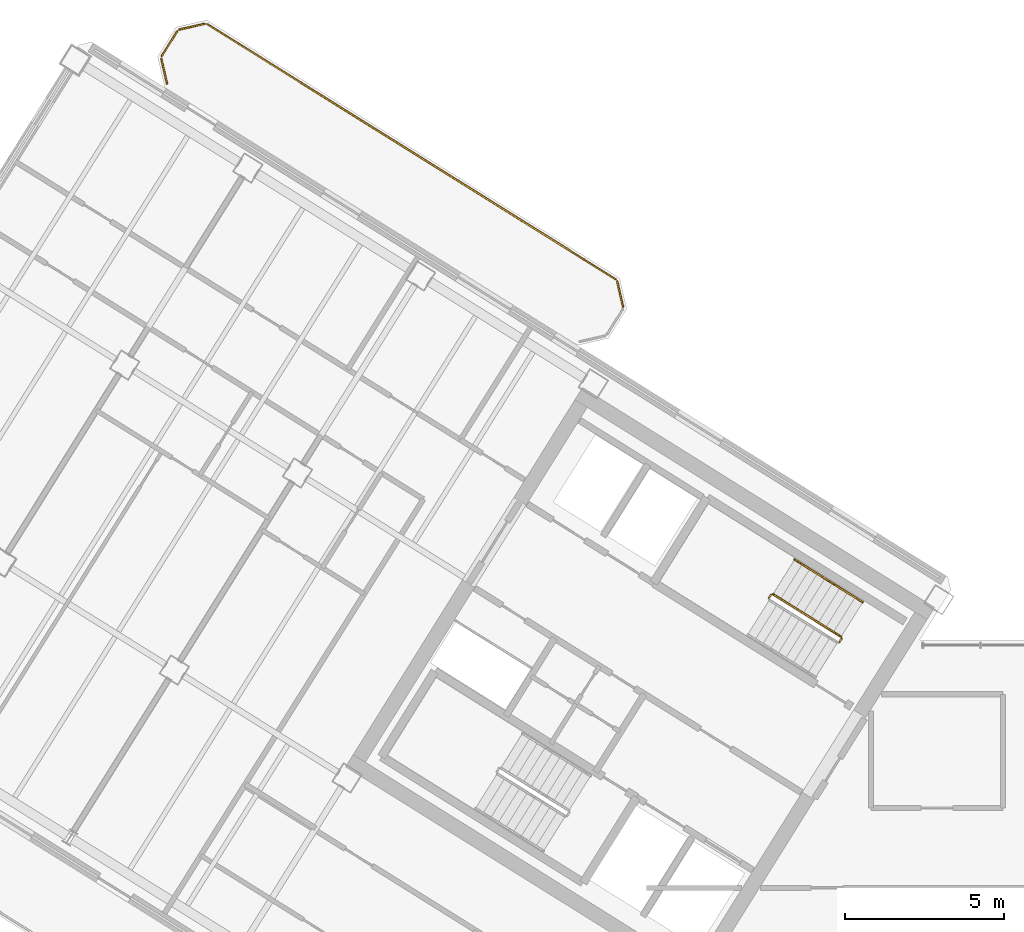
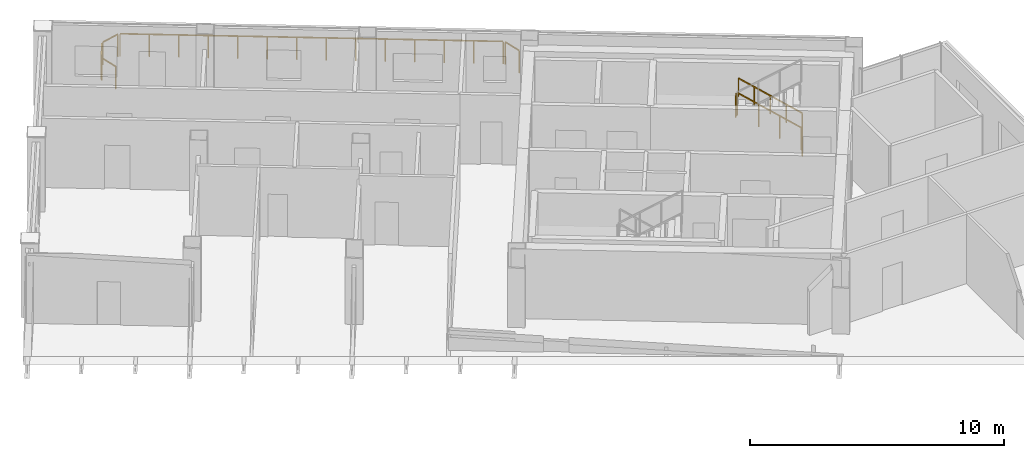
# One storey, part 17 of 17: 10 railings.
"""IFC4 building model written with IfcOpenShell, lengths in metres."""

from ifc_helpers import new_model, si_unit, direction, frame, origin, origin_2d, place, context, subcontext, project, spatial, rectangle, extrude, source, transform, mapped, material, type_object, element, save


model = new_model("IFC4")

# Units and contexts
model_context = context("Model", 3, precision=1e-05, world=origin(), true_north=direction((0.0, 1.0)))
body_context = subcontext(model_context, "Body", "Model", "MODEL_VIEW")
ifc_project = project(units=[si_unit("LENGTHUNIT", "METRE"), si_unit("AREAUNIT", "SQUARE_METRE"), si_unit("VOLUMEUNIT", "CUBIC_METRE"), si_unit("PLANEANGLEUNIT", "RADIAN"), si_unit("MASSUNIT", "GRAM", prefix="KILO")], contexts=[model_context])

# Site, building, storey
site_placement = place(None, origin())
site = spatial("IfcSite", under=ifc_project, at=site_placement, CompositionType="ELEMENT")
building_placement = place(site_placement, origin())
building = spatial("IfcBuilding", under=site, at=building_placement, Name="Tlacorven Tower", CompositionType="ELEMENT")
storey_placement = place(building_placement, frame((0.0, 0.0, 277.199951171875)))
storey = spatial("IfcBuildingStorey", under=building, at=storey_placement, Name="L70", CompositionType="ELEMENT", Elevation=277.199951171875)

# Railings
ifc_material = material(Name="Aluminium and painted steel balustrade", Category="steel")
railing_type_1 = type_object("IfcRailingType", Name="RL-BAL-1100", PredefinedType="BALUSTRADE", material=ifc_material)
shared_shape_1 = source(origin(), body_context, "Body", "SweptSolid", [
    extrude(rectangle(XDim=0.048095703125, YDim=0.048095703125, at=origin_2d()), frame((0.0, 0.0, 1.076171875), z_axis=(0.225058334816, -0.974345290916, 0.0), x_axis=(0.974345290916, 0.225058334816, 0.0)), (0.0, 0.0, 1.0), 0.80712890625),
    extrude(rectangle(XDim=0.0419921875, YDim=0.0419921875, at=origin_2d()), origin(), (0.0, 0.0, 1.0), 1.052001953125),
    extrude(rectangle(XDim=0.0419921875, YDim=0.0419921875, at=origin_2d()), frame((0.181640625, -0.786376953125, 0.0)), (0.0, 0.0, 1.0), 1.052001953125),
])
railing_1_placement = place(storey_placement, frame((30.6796875, 34.466064453125, 0.0)))
element("IfcRailing", 1, at=railing_1_placement, inside=storey, type_object=railing_type_1, Name="BAL-L70-W-IN Guard Railing 1", PredefinedType="BALUSTRADE", context=body_context, shape_type="MappedRepresentation", body=[
    mapped(shared_shape_1, transform((0.0, 0.0, 0.0), scale=1.0)),
])
shared_shape_2 = source(origin(), body_context, "Body", "SweptSolid", [
    extrude(rectangle(XDim=0.048095703125, YDim=0.048095703125, at=origin_2d()), frame((0.0, 0.0, 1.076171875), z_axis=(-0.225058334816, 0.974345290916, 0.0), x_axis=(-0.974345290916, -0.225058334816, 0.0)), (0.0, 0.0, 1.0), 0.80712890625),
    extrude(rectangle(XDim=0.0419921875, YDim=0.0419921875, at=origin_2d()), origin(), (0.0, 0.0, 1.0), 1.052001953125),
    extrude(rectangle(XDim=0.0419921875, YDim=0.0419921875, at=origin_2d()), frame((-0.181640625, 0.786376953125, 0.0)), (0.0, 0.0, 1.0), 1.052001953125),
])
railing_2_placement = place(storey_placement, frame((16.5361328125, 40.68115234375, 0.0)))
element("IfcRailing", 2, at=railing_2_placement, inside=storey, type_object=railing_type_1, Name="BAL-L70-W-IN Guard Railing 4", PredefinedType="BALUSTRADE", context=body_context, shape_type="MappedRepresentation", body=[
    mapped(shared_shape_2, transform((0.0, 0.0, 0.0), scale=1.0)),
])
shared_shape_3 = source(origin(), body_context, "Body", "SweptSolid", [
    extrude(rectangle(XDim=0.048095703125, YDim=0.048095703125, at=origin_2d()), frame((0.0, 0.0, 1.076171875), z_axis=(0.52987865805, 0.848073468364, 0.0), x_axis=(-0.848073468364, 0.52987865805, 0.0)), (0.0, 0.0, 1.0), 0.912353515625),
    extrude(rectangle(XDim=0.0419921875, YDim=0.0419921875, at=origin_2d()), origin(), (0.0, 0.0, 1.0), 1.052001953125),
    extrude(rectangle(XDim=0.0419921875, YDim=0.0419921875, at=origin_2d()), frame((0.4833984375, 0.773681640625, 0.0)), (0.0, 0.0, 1.0), 1.052001953125),
])
railing_3_placement = place(storey_placement, frame((16.369873046875, 41.55859375, 0.0)))
element("IfcRailing", 3, at=railing_3_placement, inside=storey, type_object=railing_type_1, Name="BAL-L70-W-IN Guard Railing 5", PredefinedType="BALUSTRADE", context=body_context, shape_type="MappedRepresentation", body=[
    mapped(shared_shape_3, transform((0.0, 0.0, 0.0), scale=1.0)),
])
shared_shape_4 = source(origin(), body_context, "Body", "SweptSolid", [
    extrude(rectangle(XDim=0.048095703125, YDim=0.048095703125, at=origin_2d()), frame((0.0, 0.0, 1.076171875), z_axis=(0.974411586182, 0.224771129628, 0.0), x_axis=(-0.224771129628, 0.974411586182, 0.0)), (0.0, 0.0, 1.0), 0.80712890625),
    extrude(rectangle(XDim=0.0419921875, YDim=0.0419921875, at=origin_2d()), origin(), (0.0, 0.0, 1.0), 1.052001953125),
    extrude(rectangle(XDim=0.0419921875, YDim=0.0419921875, at=origin_2d()), frame((0.786376953125, 0.181396484375, 0.0)), (0.0, 0.0, 1.0), 1.052001953125),
])
railing_4_placement = place(storey_placement, frame((16.928466796875, 42.385986328125, 0.0)))
element("IfcRailing", 4, at=railing_4_placement, inside=storey, type_object=railing_type_1, Name="BAL-L70-W-IN Guard Railing 6", PredefinedType="BALUSTRADE", context=body_context, shape_type="MappedRepresentation", body=[
    mapped(shared_shape_4, transform((0.0, 0.0, 0.0), scale=1.0)),
])
shared_shape_5 = source(origin(), body_context, "Body", "SweptSolid", [
    extrude(rectangle(XDim=0.048095703125, YDim=0.048095703125, at=origin_2d()), frame((0.0, 0.0, 1.076171875), z_axis=(0.848044572804, -0.529924902733, 0.0), x_axis=(0.529924902733, 0.848044572804, 0.0)), (0.0, 0.0, 1.0), 15.1171875),
    extrude(rectangle(XDim=0.0419921875, YDim=0.0419921875, at=origin_2d()), origin(), (0.0, 0.0, 1.0), 1.052001953125),
    extrude(rectangle(XDim=0.0419921875, YDim=0.0419921875, at=origin_2d()), frame((0.986083984375, -0.6162109375, 0.0)), (0.0, 0.0, 1.0), 1.052001953125),
    extrude(rectangle(XDim=0.0419921875, YDim=0.0419921875, at=origin_2d()), frame((1.972412109375, -1.232421875, 0.0)), (0.0, 0.0, 1.0), 1.052001953125),
    extrude(rectangle(XDim=0.0419921875, YDim=0.0419921875, at=origin_2d()), frame((2.95849609375, -1.8486328125, 0.0)), (0.0, 0.0, 1.0), 1.052001953125),
    extrude(rectangle(XDim=0.0419921875, YDim=0.0419921875, at=origin_2d()), frame((3.944580078125, -2.46484375, 0.0)), (0.0, 0.0, 1.0), 1.052001953125),
    extrude(rectangle(XDim=0.0419921875, YDim=0.0419921875, at=origin_2d()), frame((4.930908203125, -3.0810546875, 0.0)), (0.0, 0.0, 1.0), 1.052001953125),
    extrude(rectangle(XDim=0.0419921875, YDim=0.0419921875, at=origin_2d()), frame((5.9169921875, -3.697265625, 0.0)), (0.0, 0.0, 1.0), 1.052001953125),
    extrude(rectangle(XDim=0.0419921875, YDim=0.0419921875, at=origin_2d()), frame((6.903076171875, -4.313720703125, 0.0)), (0.0, 0.0, 1.0), 1.052001953125),
    extrude(rectangle(XDim=0.0419921875, YDim=0.0419921875, at=origin_2d()), frame((7.88916015625, -4.929931640625, 0.0)), (0.0, 0.0, 1.0), 1.052001953125),
    extrude(rectangle(XDim=0.0419921875, YDim=0.0419921875, at=origin_2d()), frame((8.87548828125, -5.546142578125, 0.0)), (0.0, 0.0, 1.0), 1.052001953125),
    extrude(rectangle(XDim=0.0419921875, YDim=0.0419921875, at=origin_2d()), frame((9.861572265625, -6.162353515625, 0.0)), (0.0, 0.0, 1.0), 1.052001953125),
    extrude(rectangle(XDim=0.0419921875, YDim=0.0419921875, at=origin_2d()), frame((10.84765625, -6.778564453125, 0.0)), (0.0, 0.0, 1.0), 1.052001953125),
    extrude(rectangle(XDim=0.0419921875, YDim=0.0419921875, at=origin_2d()), frame((11.833984375, -7.394775390625, 0.0)), (0.0, 0.0, 1.0), 1.052001953125),
    extrude(rectangle(XDim=0.0419921875, YDim=0.0419921875, at=origin_2d()), frame((12.820068359375, -8.010986328125, 0.0)), (0.0, 0.0, 1.0), 1.052001953125),
])
railing_5_placement = place(storey_placement, frame((17.805908203125, 42.55224609375, 0.0)))
element("IfcRailing", 5, at=railing_5_placement, inside=storey, type_object=railing_type_1, Name="BAL-L70-W-IN Guard Railing 7", PredefinedType="BALUSTRADE", context=body_context, shape_type="MappedRepresentation", body=[
    mapped(shared_shape_5, transform((0.0, 0.0, 0.0), scale=1.0)),
])
railing_type_2 = type_object("IfcRailingType", Name="RL-GRD-1100", PredefinedType="GUARDRAIL", material=ifc_material)
shared_shape_6 = source(origin(), body_context, "Body", "SweptSolid", [
    extrude(rectangle(XDim=0.048095703125, YDim=0.048095703125, at=origin_2d()), frame((0.0, 0.0, 1.076171875), z_axis=(-0.713319727316, 0.445773895627, 0.540796265334), x_axis=(-0.529955395941, -0.84802551749, 0.0)), (0.0, 0.0, 1.0), 2.995849609375),
    extrude(rectangle(XDim=0.0419921875, YDim=0.0419921875, at=origin_2d()), origin(), (0.0, 0.0, 1.0), 1.052001953125),
    extrude(rectangle(XDim=0.0419921875, YDim=0.0419921875, at=origin_2d()), frame((-0.71240234375, 0.445068359375, 0.5400390625)), (0.0, 0.0, 1.0), 1.052001953125),
    extrude(rectangle(XDim=0.0419921875, YDim=0.0419921875, at=origin_2d()), frame((-1.424560546875, 0.890380859375, 1.080078125)), (0.0, 0.0, 1.0), 1.052001953125),
    extrude(rectangle(XDim=0.0419921875, YDim=0.0419921875, at=origin_2d()), frame((-2.136962890625, 1.33544921875, 1.6201171875)), (0.0, 0.0, 1.0), 1.052001953125),
])
railing_6_placement = place(storey_placement, frame((37.712158203125, 23.3095703125, 0.179931640625)))
element("IfcRailing", 6, at=railing_6_placement, inside=storey, type_object=railing_type_2, Name="L70 ST-W2 stair guard 1", PredefinedType="GUARDRAIL", context=body_context, shape_type="MappedRepresentation", body=[
    mapped(shared_shape_6, transform((0.0, 0.0, 0.0), scale=1.0)),
])
shared_shape_7 = source(origin(), body_context, "Body", "SweptSolid", [
    extrude(rectangle(XDim=0.048095703125, YDim=0.048095703125, at=origin_2d()), frame((0.0, 0.0, 1.076171875), z_axis=(-0.530546985787, -0.847655529016, 0.0), x_axis=(0.847655529016, -0.530546985787, 0.0)), (0.0, 0.0, 1.0), 0.1201171875),
    extrude(rectangle(XDim=0.0419921875, YDim=0.0419921875, at=origin_2d()), origin(), (0.0, 0.0, 1.0), 1.052001953125),
    extrude(rectangle(XDim=0.0419921875, YDim=0.0419921875, at=origin_2d()), frame((-0.063720703125, -0.101806640625, 0.0)), (0.0, 0.0, 1.0), 1.052001953125),
])
railing_7_placement = place(storey_placement, frame((37.728271484375, 23.24072265625, 0.0)))
element("IfcRailing", 7, at=railing_7_placement, inside=storey, type_object=railing_type_2, Name="L70 ST-W2 stair guard 4", PredefinedType="GUARDRAIL", context=body_context, shape_type="MappedRepresentation", body=[
    mapped(shared_shape_7, transform((0.0, 0.0, 0.0), scale=1.0)),
])
railing_type_3 = type_object("IfcRailingType", Name="RL-HND-0900", PredefinedType="HANDRAIL", material=ifc_material)
shared_shape_8 = source(origin(), body_context, "Body", "SweptSolid", [
    extrude(rectangle(XDim=0.048095703125, YDim=0.048095703125, at=origin_2d()), frame((0.0, 0.0, 0.8759765625), z_axis=(-0.713359751793, 0.4457479829, 0.540764828981), x_axis=(-0.529911857636, -0.848052724267, 0.0)), (0.0, 0.0, 1.0), 1.498046875),
    extrude(rectangle(XDim=0.0419921875, YDim=0.0419921875, at=origin_2d()), origin(), (0.0, 0.0, 1.0), 0.851806640625),
    extrude(rectangle(XDim=0.0419921875, YDim=0.0419921875, at=origin_2d()), frame((-0.5341796875, 0.333984375, 0.405029296875)), (0.0, 0.0, 1.0), 0.851806640625),
    extrude(rectangle(XDim=0.0419921875, YDim=0.0419921875, at=origin_2d()), frame((-1.068603515625, 0.667724609375, 0.81005859375)), (0.0, 0.0, 1.0), 0.851806640625),
])
for number, where, name in (
    (8, (38.390625, 24.39501953125, 0.179931640625), "L70 ST-W2 stair handrail 1"),
    (9, (37.322021484375, 25.062744140625, 0.989990234375), "L70 ST-W2 stair handrail 2"),
):
    element("IfcRailing", number, at=place(storey_placement, frame(where)), inside=storey, type_object=railing_type_3, Name=name, PredefinedType="HANDRAIL", context=body_context, shape_type="MappedRepresentation", body=[
        mapped(shared_shape_8, transform((0.0, 0.0, 0.0), scale=1.0)),
    ])
shared_shape_9 = source(origin(), body_context, "Body", "SweptSolid", [
    extrude(rectangle(XDim=0.048095703125, YDim=0.048095703125, at=origin_2d()), frame((0.0, 0.0, 1.076171875), z_axis=(-0.531462422766, -0.847081869236, 0.0), x_axis=(0.847081869236, -0.531462422766, 0.0)), (0.0, 0.0, 1.0), 0.119873046875),
    extrude(rectangle(XDim=0.0419921875, YDim=0.0419921875, at=origin_2d()), origin(), (0.0, 0.0, 1.0), 1.052001953125),
    extrude(rectangle(XDim=0.0419921875, YDim=0.0419921875, at=origin_2d()), frame((-0.063720703125, -0.1015625, 0.0)), (0.0, 0.0, 1.0), 1.052001953125),
])
railing_8_placement = place(storey_placement, frame((35.50634765625, 24.62890625, 1.800048828125)))
element("IfcRailing", 10, at=railing_8_placement, inside=storey, type_object=railing_type_2, Name="L70 ST-W2 stair guard 2", PredefinedType="GUARDRAIL", context=body_context, shape_type="MappedRepresentation", body=[
    mapped(shared_shape_9, transform((0.0, 0.0, 0.0), scale=1.0)),
])

save(model, "model.ifc")
